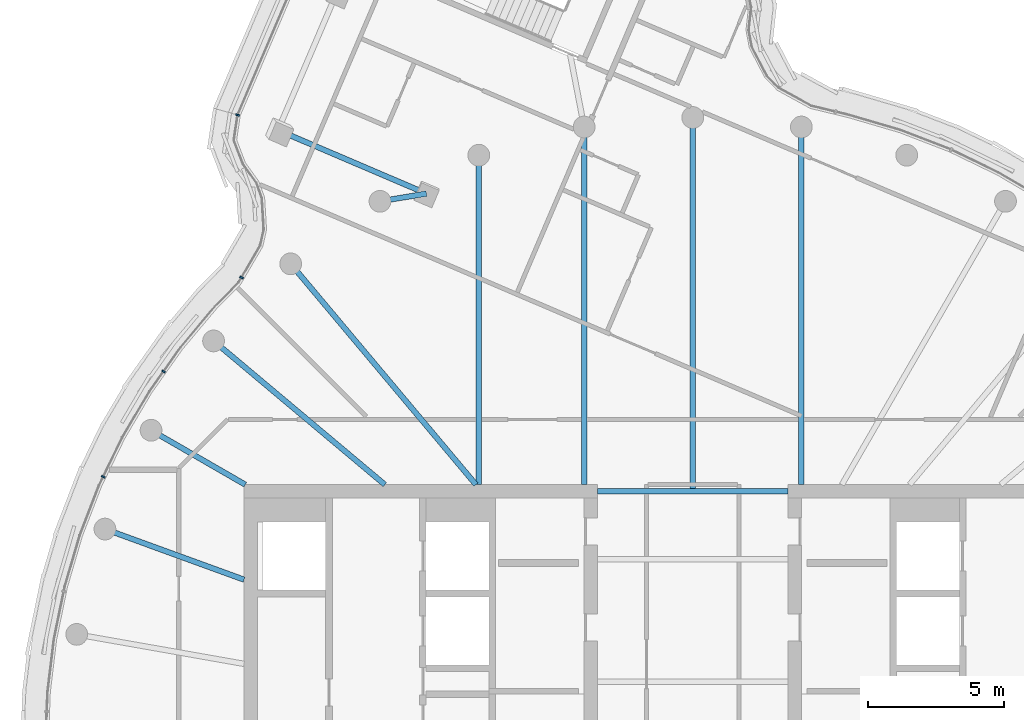
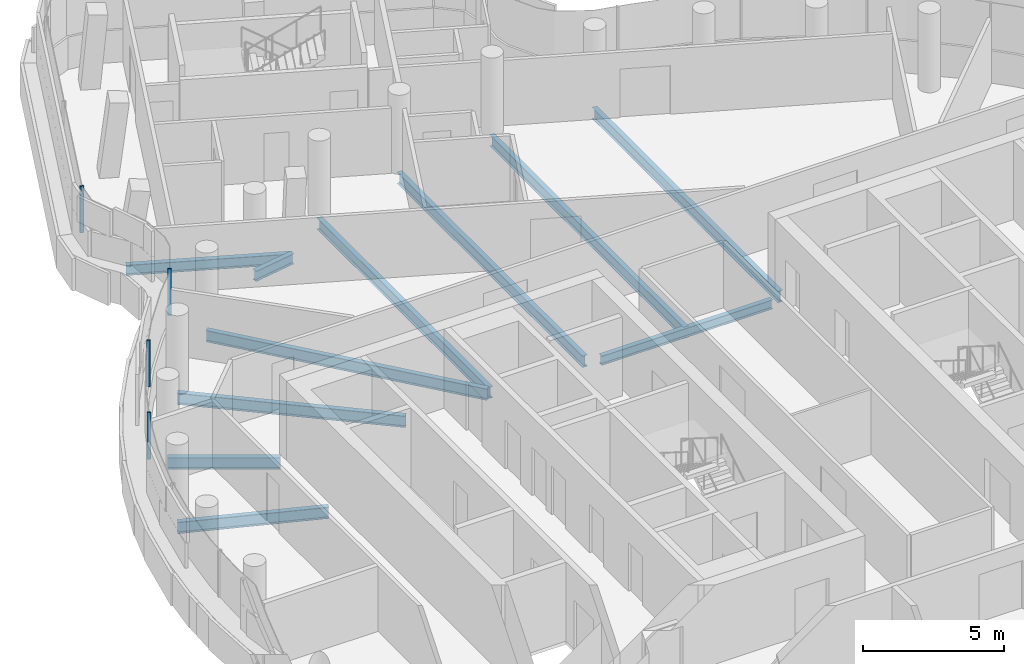
# One storey, part 8 of 20: 11 beams, 4 members, 1 element without a shape of its own.
"""IFC4 building model written with IfcOpenShell, lengths in metres."""

from ifc_helpers import new_model, si_unit, direction, frame, origin, origin_2d, place, context, subcontext, project, spatial, rectangle, i_section, extrude, material, layer, layer_set, material_profile, profile_set, type_object, element, aggregate, save


model = new_model("IFC4")

# Units and contexts
model_context = context("Model", 3, precision=1e-05, world=origin(), true_north=direction((0.0, 1.0)))
body_context = subcontext(model_context, "Body", "Model", "MODEL_VIEW")
ifc_project = project(units=[si_unit("LENGTHUNIT", "METRE"), si_unit("AREAUNIT", "SQUARE_METRE"), si_unit("VOLUMEUNIT", "CUBIC_METRE"), si_unit("PLANEANGLEUNIT", "RADIAN"), si_unit("MASSUNIT", "GRAM", prefix="KILO")], contexts=[model_context])

# Site, building, storey
site_placement = place(None, origin())
site = spatial("IfcSite", under=ifc_project, at=site_placement, CompositionType="ELEMENT")
building_placement = place(site_placement, origin())
building = spatial("IfcBuilding", under=site, at=building_placement, Name="Tamarind Cross Interchange Tower", CompositionType="ELEMENT")
storey_placement = place(building_placement, frame((0.0, 0.0, 274.800048828125)))
storey = spatial("IfcBuildingStorey", under=building, at=storey_placement, Name="L70", CompositionType="ELEMENT", Elevation=274.800048828125)

# Beams
ifc_material_1 = material(Name="Steel Q355B", Category="steel")
ifc_material_profile_1 = material_profile(ifc_material_1, i_section(OverallWidth=0.199951171875, OverallDepth=0.39990234375, WebThickness=0.008056640625, FlangeThickness=0.012939453125, FilletRadius=0.01611328125, at=origin_2d()), Name="HN 400x200x8x13")
ifc_profile_set_1 = profile_set([ifc_material_profile_1], Name="Steel Q355B")
beam_type_1 = type_object("IfcBeamType", Name="Composite beam HN 400x200x8x13 Q355B", PredefinedType="BEAM", material=ifc_profile_set_1)
beam_1_placement = place(storey_placement, frame((-3.5, 9.25, -0.340087890625), z_axis=(1.0, 0.0, 0.0), x_axis=(0.0, 1.0, 0.0)))
element("IfcBeam", 1, at=beam_1_placement, inside=storey, type_object=beam_type_1, Name="Beam G9.25", PredefinedType="BEAM", context=body_context, shape_type="SweptSolid", body=[
    extrude(i_section(OverallWidth=0.199951171875, OverallDepth=0.39990234375, WebThickness=0.008056640625, FlangeThickness=0.012939453125, FilletRadius=0.01611328125, at=origin_2d()), origin(), (0.0, 0.0, 1.0), 7.0),
])
ifc_material_profile_2 = material_profile(ifc_material_1, i_section(OverallWidth=0.198974609375, OverallDepth=0.446044921875, WebThickness=0.008056640625, FlangeThickness=0.011962890625, FilletRadius=0.012939453125, at=origin_2d()), Name="HN 446x199x8x12")
ifc_profile_set_2 = profile_set([ifc_material_profile_2], Name="Steel Q355B")
beam_type_2 = type_object("IfcBeamType", Name="Composite beam HN 446x199x8x12 Q355B", PredefinedType="BEAM", material=ifc_profile_set_2)
beam_2_placement = place(storey_placement, frame((-15.250244140625, 22.5341796875, -0.363037109375), z_axis=(0.919591338628, -0.392876278133, 0.0), x_axis=(0.392876278133, 0.919591338628, 0.0)))
element("IfcBeam", 2, at=beam_2_placement, inside=storey, type_object=beam_type_2, Name="Beam N-edgeep2", PredefinedType="BEAM", context=body_context, shape_type="SweptSolid", body=[
    extrude(i_section(OverallWidth=0.198974609375, OverallDepth=0.446044921875, WebThickness=0.008056640625, FlangeThickness=0.011962890625, FilletRadius=0.012939453125, at=origin_2d()), origin(), (0.0, 0.0, 1.0), 5.933837890625),
])
beam_3_placement = place(storey_placement, frame((-9.79345703125, 20.202880859375, -0.363037109375), z_axis=(-0.986416798322, -0.164261681437, 0.0), x_axis=(0.164261681437, -0.986416798322, 0.0)))
element("IfcBeam", 3, at=beam_3_placement, inside=storey, type_object=beam_type_2, Name="Beam N-linkep", PredefinedType="BEAM", context=body_context, shape_type="SweptSolid", body=[
    extrude(i_section(OverallWidth=0.198974609375, OverallDepth=0.446044921875, WebThickness=0.008056640625, FlangeThickness=0.011962890625, FilletRadius=0.012939453125, at=origin_2d()), origin(), (0.0, 0.0, 1.0), 1.72998046875),
])
ifc_material_profile_3 = material_profile(ifc_material_1, i_section(OverallWidth=0.198974609375, OverallDepth=0.49609375, WebThickness=0.009033203125, FlangeThickness=0.013916015625, FilletRadius=0.012939453125, at=origin_2d()), Name="HN 496x199x9x14")
ifc_profile_set_3 = profile_set([ifc_material_profile_3], Name="Steel Q355B")
beam_type_3 = type_object("IfcBeamType", Name="Composite beam HN 496x199x9x14 Q355B", PredefinedType="BEAM", material=ifc_profile_set_3)
beam_4_placement = place(storey_placement, frame((3.993896484375, 22.650634765625, -0.387939453125), z_axis=(0.0, -1.0, 0.0), x_axis=(1.0, 0.0, 0.0)))
element("IfcBeam", 4, at=beam_4_placement, inside=storey, type_object=beam_type_3, Name="Beam HH08", PredefinedType="BEAM", context=body_context, shape_type="SweptSolid", body=[
    extrude(i_section(OverallWidth=0.198974609375, OverallDepth=0.49609375, WebThickness=0.009033203125, FlangeThickness=0.013916015625, FilletRadius=0.012939453125, at=origin_2d()), origin(), (0.0, 0.0, 1.0), 13.150634765625),
])
beam_5_placement = place(storey_placement, frame((0.0, 23.0, -0.387939453125), z_axis=(0.0, -1.0, 0.0), x_axis=(1.0, 0.0, 0.0)))
element("IfcBeam", 5, at=beam_5_placement, inside=storey, type_object=beam_type_3, Name="Beam HH09", PredefinedType="BEAM", context=body_context, shape_type="SweptSolid", body=[
    extrude(i_section(OverallWidth=0.198974609375, OverallDepth=0.49609375, WebThickness=0.009033203125, FlangeThickness=0.013916015625, FilletRadius=0.012939453125, at=origin_2d()), origin(), (0.0, 0.0, 1.0), 13.75),
])
beam_6_placement = place(storey_placement, frame((-3.993896484375, 22.650634765625, -0.387939453125), z_axis=(0.0, -1.0, 0.0), x_axis=(1.0, 0.0, 0.0)))
element("IfcBeam", 6, at=beam_6_placement, inside=storey, type_object=beam_type_3, Name="Beam HH10", PredefinedType="BEAM", context=body_context, shape_type="SweptSolid", body=[
    extrude(i_section(OverallWidth=0.198974609375, OverallDepth=0.49609375, WebThickness=0.009033203125, FlangeThickness=0.013916015625, FilletRadius=0.012939453125, at=origin_2d()), origin(), (0.0, 0.0, 1.0), 13.150634765625),
])
beam_7_placement = place(storey_placement, frame((-7.866455078125, 21.613037109375, -0.387939453125), z_axis=(0.0, -1.0, 0.0), x_axis=(1.0, 0.0, 0.0)))
element("IfcBeam", 7, at=beam_7_placement, inside=storey, type_object=beam_type_3, Name="Beam HH11", PredefinedType="BEAM", context=body_context, shape_type="SweptSolid", body=[
    extrude(i_section(OverallWidth=0.198974609375, OverallDepth=0.49609375, WebThickness=0.009033203125, FlangeThickness=0.013916015625, FilletRadius=0.012939453125, at=origin_2d()), origin(), (0.0, 0.0, 1.0), 12.113037109375),
])
beam_8_placement = place(storey_placement, frame((-14.7841796875, 17.619140625, -0.387939453125), z_axis=(0.642786293979, -0.766045547127, 0.0), x_axis=(0.766045547127, 0.642786293979, 0.0)))
element("IfcBeam", 8, at=beam_8_placement, inside=storey, type_object=beam_type_3, Name="Beam HH13", PredefinedType="BEAM", context=body_context, shape_type="SweptSolid", body=[
    extrude(i_section(OverallWidth=0.198974609375, OverallDepth=0.49609375, WebThickness=0.009033203125, FlangeThickness=0.013916015625, FilletRadius=0.012939453125, at=origin_2d()), origin(), (0.0, 0.0, 1.0), 10.598876953125),
])
beam_9_placement = place(storey_placement, frame((-17.619140625, 14.7841796875, -0.387939453125), z_axis=(0.766040580814, -0.642792212574, 0.0), x_axis=(0.642792212574, 0.766040580814, 0.0)))
element("IfcBeam", 9, at=beam_9_placement, inside=storey, type_object=beam_type_3, Name="Beam HH14", PredefinedType="BEAM", context=body_context, shape_type="SweptSolid", body=[
    extrude(i_section(OverallWidth=0.198974609375, OverallDepth=0.49609375, WebThickness=0.009033203125, FlangeThickness=0.013916015625, FilletRadius=0.012939453125, at=origin_2d()), origin(), (0.0, 0.0, 1.0), 8.220703125),
])
beam_10_placement = place(storey_placement, frame((-19.918701171875, 11.5, -0.387939453125), z_axis=(0.866026010844, -0.49999894854, 0.0), x_axis=(0.49999894854, 0.866026010844, 0.0)))
element("IfcBeam", 10, at=beam_10_placement, inside=storey, type_object=beam_type_3, Name="Beam HH15", PredefinedType="BEAM", context=body_context, shape_type="SweptSolid", body=[
    extrude(i_section(OverallWidth=0.198974609375, OverallDepth=0.49609375, WebThickness=0.009033203125, FlangeThickness=0.013916015625, FilletRadius=0.012939453125, at=origin_2d()), origin(), (0.0, 0.0, 1.0), 4.0),
])
beam_11_placement = place(storey_placement, frame((-21.613037109375, 7.866455078125, -0.387939453125), z_axis=(0.939701685589, -0.341995236956, 0.0), x_axis=(0.341995236956, 0.939701685589, 0.0)))
element("IfcBeam", 11, at=beam_11_placement, inside=storey, type_object=beam_type_3, Name="Beam HH16", PredefinedType="BEAM", context=body_context, shape_type="SweptSolid", body=[
    extrude(i_section(OverallWidth=0.198974609375, OverallDepth=0.49609375, WebThickness=0.009033203125, FlangeThickness=0.013916015625, FilletRadius=0.012939453125, at=origin_2d()), origin(), (0.0, 0.0, 1.0), 5.441162109375),
])

# Curtain wall, members
ifc_material_2 = material(Name="Aluminium 6063-T6", Category="aluminium")
ifc_layer = layer(ifc_material_2, 0.139892578125)
ifc_layer_set = layer_set([ifc_layer], Name="Aluminium 6063-T6")
curtain_wall_type = type_object("IfcCurtainWallType", Name="Hotel curtain wall, 4.5 m bays", PredefinedType="NOTDEFINED", material=ifc_layer_set)
curtain_wall_placement = place(storey_placement, origin())
curtain_wall = element("IfcCurtainWall", 12, at=curtain_wall_placement, inside=storey, type_object=curtain_wall_type, Name="CWS-L70-01", PredefinedType="NOTDEFINED")
ifc_material_profile_4 = material_profile(ifc_material_2, rectangle(XDim=0.06005859375, YDim=0.139892578125, at=origin_2d()), Name="Mullion CW2")
ifc_profile_set_4 = profile_set([ifc_material_profile_4], Name="Aluminium 6063-T6")
member_type = type_object("IfcMemberType", Name="Mullion CW2", PredefinedType="MULLION", material=ifc_profile_set_4)
member_1_placement = place(storey_placement, frame((-16.735595703125, 23.091552734375, 1.39990234375), z_axis=(0.0, 0.0, 1.0), x_axis=(-0.271874930791, -0.962332594277, 0.0)))
member_1 = element("IfcMember", 13, at=member_1_placement, type_object=member_type, Name="CWM-L70-01-00", PredefinedType="MULLION", context=body_context, shape_type="SweptSolid", body=[
    extrude(rectangle(XDim=0.06005859375, YDim=0.139892578125, at=origin_2d()), origin(), (0.0, 0.0, 1.0), 2.02001953125),
])
member_2_placement = place(storey_placement, frame((-16.590576171875, 17.1171875, 1.39990234375), z_axis=(0.0, 0.0, 1.0), x_axis=(-0.505040256144, -0.863095788238, 0.0)))
member_2 = element("IfcMember", 14, at=member_2_placement, type_object=member_type, Name="CWM-L70-01-01", PredefinedType="MULLION", context=body_context, shape_type="SweptSolid", body=[
    extrude(rectangle(XDim=0.06005859375, YDim=0.139892578125, at=origin_2d()), origin(), (0.0, 0.0, 1.0), 2.02001953125),
])
member_3_placement = place(storey_placement, frame((-19.458984375, 13.661376953125, 1.39990234375), z_axis=(0.0, 0.0, 1.0), x_axis=(-0.577568978284, -0.816341886298, 0.0)))
member_3 = element("IfcMember", 15, at=member_3_placement, type_object=member_type, Name="CWM-L70-01-02", PredefinedType="MULLION", context=body_context, shape_type="SweptSolid", body=[
    extrude(rectangle(XDim=0.06005859375, YDim=0.139892578125, at=origin_2d()), origin(), (0.0, 0.0, 1.0), 2.02001953125),
])
member_4_placement = place(storey_placement, frame((-21.674560546875, 9.79150390625, 1.39990234375), z_axis=(0.0, 0.0, 1.0), x_axis=(-0.435326231914, -0.900272776334, 0.0)))
member_4 = element("IfcMember", 16, at=member_4_placement, type_object=member_type, Name="CWM-L70-01-03", PredefinedType="MULLION", context=body_context, shape_type="SweptSolid", body=[
    extrude(rectangle(XDim=0.06005859375, YDim=0.139892578125, at=origin_2d()), origin(), (0.0, 0.0, 1.0), 2.02001953125),
])
aggregate(curtain_wall, [member_1, member_2, member_3, member_4])

save(model, "model.ifc")
